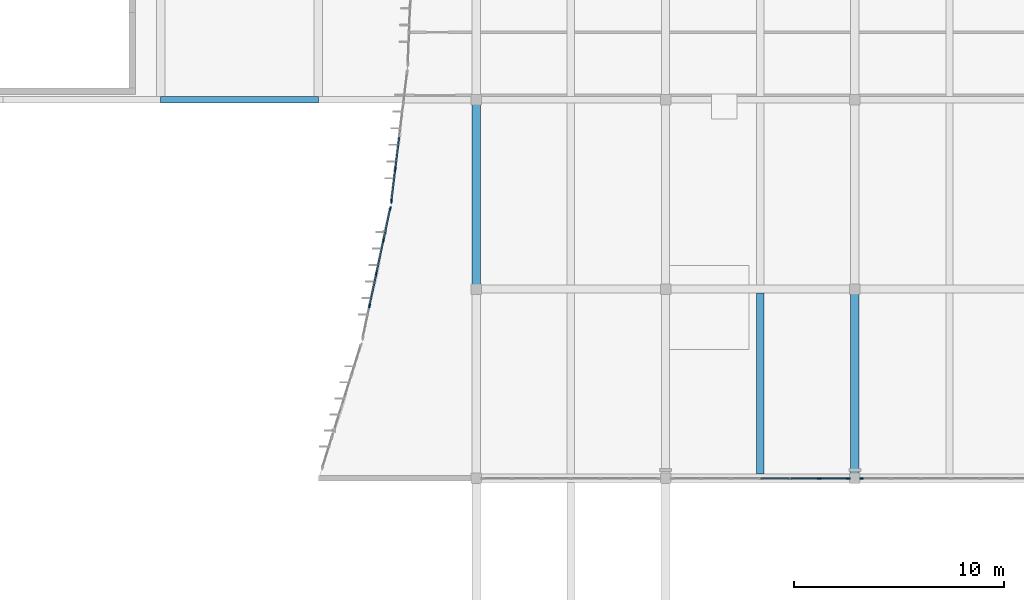
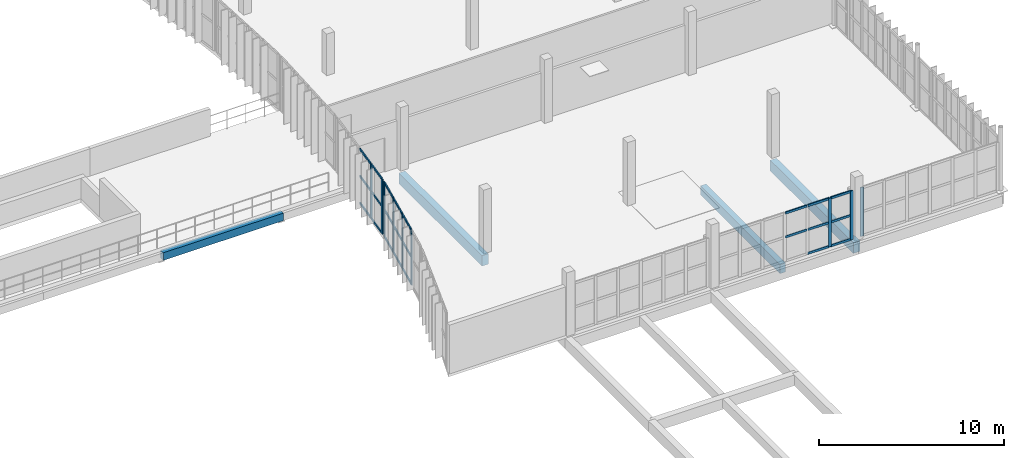
# One storey, part 22 of 61: 32 members, 4 beams, 4 elements without a shape of their own.
"""IFC4 building model written with IfcOpenShell, lengths in metres."""

from ifc_helpers import new_model, si_unit, direction, frame, origin, origin_2d, place, context, subcontext, project, spatial, rectangle, extrude, material, material_profile, profile_set, type_object, element, aggregate, save


model = new_model("IFC4")

# Units and contexts
model_context = context("Model", 3, precision=1e-05, world=origin(), true_north=direction((0.0, 1.0)))
body_context = subcontext(model_context, "Body", "Model", "MODEL_VIEW")
ifc_project = project(units=[si_unit("LENGTHUNIT", "METRE"), si_unit("AREAUNIT", "SQUARE_METRE"), si_unit("VOLUMEUNIT", "CUBIC_METRE"), si_unit("PLANEANGLEUNIT", "RADIAN"), si_unit("MASSUNIT", "GRAM", prefix="KILO")], contexts=[model_context])

# Site, building, storey
site_placement = place(None, origin())
site = spatial("IfcSite", under=ifc_project, at=site_placement, CompositionType="ELEMENT")
building_placement = place(site_placement, origin())
building = spatial("IfcBuilding", under=site, at=building_placement, Name="Vourika Railside Aquatics Centre", CompositionType="ELEMENT")
storey_placement = place(building_placement, frame((0.0, 0.0, 9.300048828125)))
storey = spatial("IfcBuildingStorey", under=building, at=storey_placement, Name="L02", CompositionType="ELEMENT", Elevation=9.300048828125)

# Beams
ifc_material_1 = material(Name="Concrete C35/45", Category="concrete")
ifc_material_profile_1 = material_profile(ifc_material_1, rectangle(XDim=0.39990234375, YDim=0.699951171875, at=origin_2d()), Name="RC 400x700")
ifc_profile_set_1 = profile_set([ifc_material_profile_1], Name="Concrete C35/45")
beam_type_1 = type_object("IfcBeamType", Name="BM-GIRD-400x700", PredefinedType="BEAM", material=ifc_profile_set_1)
for number, where, z_axis, x_axis, name in (
    (1, (141.0, 49.0, -0.630126953125), (0.0, 1.0, 0.0), (-1.0, 0.0, 0.0), "Floor Girder GY-L02-260"),
    (2, (159.0, 40.0, -0.630126953125), (0.0, 1.0, 0.0), (-1.0, 0.0, 0.0), "Floor Girder GY-L02-276"),
):
    element("IfcBeam", number, at=place(storey_placement, frame(where, z_axis=z_axis, x_axis=x_axis)), inside=storey, type_object=beam_type_1, Name=name, PredefinedType="BEAM", context=body_context, shape_type="SweptSolid", body=[
        extrude(rectangle(XDim=0.39990234375, YDim=0.699951171875, at=origin_2d()), origin(), (0.0, 0.0, 1.0), 9.0),
    ])
ifc_material_profile_2 = material_profile(ifc_material_1, rectangle(XDim=0.35009765625, YDim=0.60009765625, at=origin_2d()), Name="RC 350x600")
ifc_profile_set_2 = profile_set([ifc_material_profile_2], Name="Concrete C35/45")
beam_type_2 = type_object("IfcBeamType", Name="BM-SEC-350x600", PredefinedType="JOIST", material=ifc_profile_set_2)
beam_1_placement = place(storey_placement, frame((154.5, 40.199951171875, -0.580078125), z_axis=(0.0, 1.0, 0.0), x_axis=(-1.0, 0.0, 0.0)))
element("IfcBeam", 3, at=beam_1_placement, inside=storey, type_object=beam_type_2, Name="Secondary Joist JY-L02-307", PredefinedType="JOIST", context=body_context, shape_type="SweptSolid", body=[
    extrude(rectangle(XDim=0.35009765625, YDim=0.60009765625, at=origin_2d()), origin(), (0.0, 0.0, 1.0), 8.60009765625),
])
ifc_material_profile_3 = material_profile(ifc_material_1, rectangle(XDim=0.300048828125, YDim=0.5, at=origin_2d()), Name="RC 300x500")
ifc_profile_set_3 = profile_set([ifc_material_profile_3], Name="Concrete C35/45")
beam_type_3 = type_object("IfcBeamType", Name="BM-SPAN-300x500", PredefinedType="SPANDREL", material=ifc_profile_set_3)
beam_2_placement = place(storey_placement, frame((126.0, 58.0, -0.530029296875), z_axis=(1.0, 0.0, 0.0), x_axis=(0.0, 1.0, 0.0)))
element("IfcBeam", 4, at=beam_2_placement, inside=storey, type_object=beam_type_3, Name="Floor Beam GX-L02-064", PredefinedType="SPANDREL", context=body_context, shape_type="SweptSolid", body=[
    extrude(rectangle(XDim=0.300048828125, YDim=0.5, at=origin_2d()), origin(), (0.0, 0.0, 1.0), 7.5),
])

# Curtain wall, members
ifc_material_2 = material(Name="Anodized thermally broken aluminium", Category="aluminium")
curtain_wall_type_1 = type_object("IfcCurtainWallType", Name="CW-FOYC2", PredefinedType="NOTDEFINED", material=ifc_material_2)
curtain_wall_1_placement = place(storey_placement, origin())
curtain_wall_1 = element("IfcCurtainWall", 5, at=curtain_wall_1_placement, inside=storey, type_object=curtain_wall_type_1, Name="Curved Courtyard Foyer Curtain Wall L02-2", PredefinedType="NOTDEFINED")
ifc_material_3 = material(Name="Anodized aluminium mullion", Category="aluminium")
ifc_material_profile_4 = material_profile(ifc_material_3, rectangle(XDim=0.068115234375, YDim=0.175048828125, at=origin_2d()), Name="ALU-M 68x175")
ifc_profile_set_4 = profile_set([ifc_material_profile_4], Name="Anodized aluminium mullion")
member_type_1 = type_object("IfcMemberType", Name="CWM-FOYC2", PredefinedType="MULLION", material=ifc_profile_set_4)
member_1_placement = place(storey_placement, frame((136.9150390625, 52.82666015625, 0.0), z_axis=(0.0, 0.0, 1.0), x_axis=(0.978214773139, -0.207595418094, 0.0)))
member_1 = element("IfcMember", 6, at=member_1_placement, type_object=member_type_1, Name="CW09 mullion 1", PredefinedType="MULLION", context=body_context, shape_type="SweptSolid", body=[
    extrude(rectangle(XDim=0.068115234375, YDim=0.175048828125, at=origin_2d()), origin(), (0.0, 0.0, 1.0), 3.619873046875),
])
member_2_placement = place(storey_placement, frame((136.592041015625, 51.304931640625, 0.0), z_axis=(0.0, 0.0, 1.0), x_axis=(0.978214773139, -0.207595418094, 0.0)))
member_2 = element("IfcMember", 7, at=member_2_placement, type_object=member_type_1, Name="CW09 mullion 2", PredefinedType="MULLION", context=body_context, shape_type="SweptSolid", body=[
    extrude(rectangle(XDim=0.068115234375, YDim=0.175048828125, at=origin_2d()), origin(), (0.0, 0.0, 1.0), 3.619873046875),
])
member_3_placement = place(storey_placement, frame((136.261962890625, 49.75, 0.0), z_axis=(0.0, 0.0, 1.0), x_axis=(0.978214773139, -0.207595418094, 0.0)))
member_3 = element("IfcMember", 8, at=member_3_placement, type_object=member_type_1, Name="CW09 mullion 3", PredefinedType="MULLION", context=body_context, shape_type="SweptSolid", body=[
    extrude(rectangle(XDim=0.068115234375, YDim=0.175048828125, at=origin_2d()), origin(), (0.0, 0.0, 1.0), 3.619873046875),
])
member_4_placement = place(storey_placement, frame((135.931884765625, 48.195068359375, 0.0), z_axis=(0.0, 0.0, 1.0), x_axis=(0.978214773139, -0.207595418094, 0.0)))
member_4 = element("IfcMember", 9, at=member_4_placement, type_object=member_type_1, Name="CW09 mullion 4", PredefinedType="MULLION", context=body_context, shape_type="SweptSolid", body=[
    extrude(rectangle(XDim=0.068115234375, YDim=0.175048828125, at=origin_2d()), origin(), (0.0, 0.0, 1.0), 3.619873046875),
])

curtain_wall_2_placement = place(storey_placement, origin())
curtain_wall_2 = element("IfcCurtainWall", 10, at=curtain_wall_2_placement, inside=storey, type_object=curtain_wall_type_1, Name="Curved Courtyard Foyer Curtain Wall L02-3", PredefinedType="NOTDEFINED")
member_5_placement = place(storey_placement, frame((137.158203125, 54.695068359375, 0.0), z_axis=(0.0, 0.0, 1.0), x_axis=(0.992598563525, -0.121441721361, 0.0)))
member_5 = element("IfcMember", 11, at=member_5_placement, type_object=member_type_1, Name="CW09 mullion 4", PredefinedType="MULLION", context=body_context, shape_type="SweptSolid", body=[
    extrude(rectangle(XDim=0.068115234375, YDim=0.175048828125, at=origin_2d()), origin(), (0.0, 0.0, 1.0), 3.619873046875),
])
member_6_placement = place(storey_placement, frame((136.97216796875, 53.173828125, 0.0), z_axis=(0.0, 0.0, 1.0), x_axis=(0.992598563525, -0.121441721361, 0.0)))
member_6 = element("IfcMember", 12, at=member_6_placement, type_object=member_type_1, Name="CW09 mullion 5", PredefinedType="MULLION", context=body_context, shape_type="SweptSolid", body=[
    extrude(rectangle(XDim=0.068115234375, YDim=0.175048828125, at=origin_2d()), origin(), (0.0, 0.0, 1.0), 3.619873046875),
])

curtain_wall_type_2 = type_object("IfcCurtainWallType", Name="CW-FOYS", PredefinedType="NOTDEFINED", material=ifc_material_2)
curtain_wall_3_placement = place(storey_placement, origin())
curtain_wall_3 = element("IfcCurtainWall", 13, at=curtain_wall_3_placement, inside=storey, type_object=curtain_wall_type_2, Name="Foyer South Glazed Facade L02-2", PredefinedType="NOTDEFINED")
ifc_material_profile_5 = material_profile(ifc_material_3, rectangle(XDim=0.072021484375, YDim=0.181884765625, at=origin_2d()), Name="ALU-M 72x182")
ifc_profile_set_5 = profile_set([ifc_material_profile_5], Name="Anodized aluminium mullion")
member_type_2 = type_object("IfcMemberType", Name="CWM-FOYS", PredefinedType="MULLION", material=ifc_profile_set_5)
member_7_placement = place(storey_placement, frame((157.313232421875, 40.0, 0.0), z_axis=(0.0, 0.0, 1.0), x_axis=(0.0, 1.0, 0.0)))
member_7 = element("IfcMember", 14, at=member_7_placement, type_object=member_type_2, Name="CW11 mullion 6", PredefinedType="MULLION", context=body_context, shape_type="SweptSolid", body=[
    extrude(rectangle(XDim=0.072021484375, YDim=0.181884765625, at=origin_2d()), origin(), (0.0, 0.0, 1.0), 3.219970703125),
])
member_8_placement = place(storey_placement, frame((158.68408203125, 40.0, 0.0), z_axis=(0.0, 0.0, 1.0), x_axis=(0.0, 1.0, 0.0)))
member_8 = element("IfcMember", 15, at=member_8_placement, type_object=member_type_2, Name="CW11 mullion 7", PredefinedType="MULLION", context=body_context, shape_type="SweptSolid", body=[
    extrude(rectangle(XDim=0.072021484375, YDim=0.181884765625, at=origin_2d()), origin(), (0.0, 0.0, 1.0), 3.219970703125),
])

# Curtain wall, member
curtain_wall_4_placement = place(storey_placement, origin())
curtain_wall_4 = element("IfcCurtainWall", 16, at=curtain_wall_4_placement, inside=storey, type_object=curtain_wall_type_2, Name="Foyer South Glazed Facade L02-3", PredefinedType="NOTDEFINED")
member_9_placement = place(storey_placement, frame((159.31591796875, 40.0, 0.0), z_axis=(0.0, 0.0, 1.0), x_axis=(0.0, 1.0, 0.0)))
member_9 = element("IfcMember", 17, at=member_9_placement, type_object=member_type_2, Name="CW11 mullion 1", PredefinedType="MULLION", context=body_context, shape_type="SweptSolid", body=[
    extrude(rectangle(XDim=0.072021484375, YDim=0.181884765625, at=origin_2d()), origin(), (0.0, 0.0, 1.0), 3.219970703125),
])
aggregate(curtain_wall_4, [member_9])

# Member
ifc_material_4 = material(Name="Anodized aluminium transom", Category="aluminium")
ifc_material_profile_6 = material_profile(ifc_material_4, rectangle(XDim=0.068115234375, YDim=0.137939453125, at=origin_2d()), Name="ALU-T 68x138")
ifc_profile_set_6 = profile_set([ifc_material_profile_6], Name="Anodized aluminium transom")
member_type_3 = type_object("IfcMemberType", Name="CWT-FOYC2", PredefinedType="USERDEFINED", material=ifc_profile_set_6)
member_10_placement = place(storey_placement, frame((136.907958984375, 52.79345703125, 0.033935546875), z_axis=(-0.207623193138, -0.978208878344, 0.0), x_axis=(0.978208878344, -0.207623193138, 0.0)))
member_10 = element("IfcMember", 18, at=member_10_placement, type_object=member_type_3, Name="CW09 transom 1.1", ObjectType="TRANSOM", PredefinedType="USERDEFINED", context=body_context, shape_type="SweptSolid", body=[
    extrude(rectangle(XDim=0.068115234375, YDim=0.137939453125, at=origin_2d()), origin(), (0.0, 0.0, 1.0), 1.487548828125),
])

member_11_placement = place(storey_placement, frame((136.907958984375, 52.79345703125, 1.81005859375), z_axis=(-0.207623193138, -0.978208878344, 0.0), x_axis=(0.978208878344, -0.207623193138, 0.0)))
member_11 = element("IfcMember", 19, at=member_11_placement, type_object=member_type_3, Name="CW09 transom 1.2", ObjectType="TRANSOM", PredefinedType="USERDEFINED", context=body_context, shape_type="SweptSolid", body=[
    extrude(rectangle(XDim=0.068115234375, YDim=0.137939453125, at=origin_2d()), origin(), (0.0, 0.0, 1.0), 1.487548828125),
])

member_12_placement = place(storey_placement, frame((136.907958984375, 52.79345703125, 3.5859375), z_axis=(-0.207623193138, -0.978208878344, 0.0), x_axis=(0.978208878344, -0.207623193138, 0.0)))
member_12 = element("IfcMember", 20, at=member_12_placement, type_object=member_type_3, Name="CW09 transom 1.3", ObjectType="TRANSOM", PredefinedType="USERDEFINED", context=body_context, shape_type="SweptSolid", body=[
    extrude(rectangle(XDim=0.068115234375, YDim=0.137939453125, at=origin_2d()), origin(), (0.0, 0.0, 1.0), 1.487548828125),
])

member_13_placement = place(storey_placement, frame((136.5849609375, 51.271728515625, 0.033935546875), z_axis=(-0.207611215064, -0.978211420593, 0.0), x_axis=(0.978211420593, -0.207611215064, 0.0)))
member_13 = element("IfcMember", 21, at=member_13_placement, type_object=member_type_3, Name="CW09 transom 2.1", ObjectType="TRANSOM", PredefinedType="USERDEFINED", context=body_context, shape_type="SweptSolid", body=[
    extrude(rectangle(XDim=0.068115234375, YDim=0.137939453125, at=origin_2d()), origin(), (0.0, 0.0, 1.0), 1.521728515625),
])

member_14_placement = place(storey_placement, frame((136.5849609375, 51.271728515625, 1.81005859375), z_axis=(-0.207611215064, -0.978211420593, 0.0), x_axis=(0.978211420593, -0.207611215064, 0.0)))
member_14 = element("IfcMember", 22, at=member_14_placement, type_object=member_type_3, Name="CW09 transom 2.2", ObjectType="TRANSOM", PredefinedType="USERDEFINED", context=body_context, shape_type="SweptSolid", body=[
    extrude(rectangle(XDim=0.068115234375, YDim=0.137939453125, at=origin_2d()), origin(), (0.0, 0.0, 1.0), 1.521728515625),
])

member_15_placement = place(storey_placement, frame((136.5849609375, 51.271728515625, 3.5859375), z_axis=(-0.207611215064, -0.978211420593, 0.0), x_axis=(0.978211420593, -0.207611215064, 0.0)))
member_15 = element("IfcMember", 23, at=member_15_placement, type_object=member_type_3, Name="CW09 transom 2.3", ObjectType="TRANSOM", PredefinedType="USERDEFINED", context=body_context, shape_type="SweptSolid", body=[
    extrude(rectangle(XDim=0.068115234375, YDim=0.137939453125, at=origin_2d()), origin(), (0.0, 0.0, 1.0), 1.521728515625),
])

member_16_placement = place(storey_placement, frame((136.2548828125, 49.716796875, 0.033935546875), z_axis=(-0.207611215064, -0.978211420593, 0.0), x_axis=(0.978211420593, -0.207611215064, 0.0)))
member_16 = element("IfcMember", 24, at=member_16_placement, type_object=member_type_3, Name="CW09 transom 3.1", ObjectType="TRANSOM", PredefinedType="USERDEFINED", context=body_context, shape_type="SweptSolid", body=[
    extrude(rectangle(XDim=0.068115234375, YDim=0.137939453125, at=origin_2d()), origin(), (0.0, 0.0, 1.0), 1.521728515625),
])

member_17_placement = place(storey_placement, frame((136.2548828125, 49.716796875, 1.81005859375), z_axis=(-0.207611215064, -0.978211420593, 0.0), x_axis=(0.978211420593, -0.207611215064, 0.0)))
member_17 = element("IfcMember", 25, at=member_17_placement, type_object=member_type_3, Name="CW09 transom 3.2", ObjectType="TRANSOM", PredefinedType="USERDEFINED", context=body_context, shape_type="SweptSolid", body=[
    extrude(rectangle(XDim=0.068115234375, YDim=0.137939453125, at=origin_2d()), origin(), (0.0, 0.0, 1.0), 1.521728515625),
])

member_18_placement = place(storey_placement, frame((136.2548828125, 49.716796875, 3.5859375), z_axis=(-0.207611215064, -0.978211420593, 0.0), x_axis=(0.978211420593, -0.207611215064, 0.0)))
member_18 = element("IfcMember", 26, at=member_18_placement, type_object=member_type_3, Name="CW09 transom 3.3", ObjectType="TRANSOM", PredefinedType="USERDEFINED", context=body_context, shape_type="SweptSolid", body=[
    extrude(rectangle(XDim=0.068115234375, YDim=0.137939453125, at=origin_2d()), origin(), (0.0, 0.0, 1.0), 1.521728515625),
])

aggregate(curtain_wall_1, [member_1, member_2, member_3, member_4, member_10, member_11, member_12, member_13, member_14, member_15, member_16, member_17, member_18])

member_19_placement = place(storey_placement, frame((137.344482421875, 56.21630859375, 0.033935546875), z_axis=(-0.121528088418, -0.992587992938, 0.0), x_axis=(0.992587992938, -0.121528088418, 0.0)))
member_19 = element("IfcMember", 27, at=member_19_placement, type_object=member_type_3, Name="CW09 transom 3.1", ObjectType="TRANSOM", PredefinedType="USERDEFINED", context=body_context, shape_type="SweptSolid", body=[
    extrude(rectangle(XDim=0.068115234375, YDim=0.137939453125, at=origin_2d()), origin(), (0.0, 0.0, 1.0), 1.49853515625),
])

member_20_placement = place(storey_placement, frame((137.344482421875, 56.21630859375, 1.81005859375), z_axis=(-0.121528088418, -0.992587992938, 0.0), x_axis=(0.992587992938, -0.121528088418, 0.0)))
member_20 = element("IfcMember", 28, at=member_20_placement, type_object=member_type_3, Name="CW09 transom 3.2", ObjectType="TRANSOM", PredefinedType="USERDEFINED", context=body_context, shape_type="SweptSolid", body=[
    extrude(rectangle(XDim=0.068115234375, YDim=0.137939453125, at=origin_2d()), origin(), (0.0, 0.0, 1.0), 1.49853515625),
])

member_21_placement = place(storey_placement, frame((137.344482421875, 56.21630859375, 3.5859375), z_axis=(-0.121528088418, -0.992587992938, 0.0), x_axis=(0.992587992938, -0.121528088418, 0.0)))
member_21 = element("IfcMember", 29, at=member_21_placement, type_object=member_type_3, Name="CW09 transom 3.3", ObjectType="TRANSOM", PredefinedType="USERDEFINED", context=body_context, shape_type="SweptSolid", body=[
    extrude(rectangle(XDim=0.068115234375, YDim=0.137939453125, at=origin_2d()), origin(), (0.0, 0.0, 1.0), 1.49853515625),
])

member_22_placement = place(storey_placement, frame((137.154052734375, 54.6611328125, 0.033935546875), z_axis=(-0.121366882428, -0.992607717001, 0.0), x_axis=(0.992607717001, -0.121366882428, 0.0)))
member_22 = element("IfcMember", 30, at=member_22_placement, type_object=member_type_3, Name="CW09 transom 4.1", ObjectType="TRANSOM", PredefinedType="USERDEFINED", context=body_context, shape_type="SweptSolid", body=[
    extrude(rectangle(XDim=0.068115234375, YDim=0.137939453125, at=origin_2d()), origin(), (0.0, 0.0, 1.0), 1.46435546875),
])

member_23_placement = place(storey_placement, frame((137.154052734375, 54.6611328125, 1.81005859375), z_axis=(-0.121366882428, -0.992607717001, 0.0), x_axis=(0.992607717001, -0.121366882428, 0.0)))
member_23 = element("IfcMember", 31, at=member_23_placement, type_object=member_type_3, Name="CW09 transom 4.2", ObjectType="TRANSOM", PredefinedType="USERDEFINED", context=body_context, shape_type="SweptSolid", body=[
    extrude(rectangle(XDim=0.068115234375, YDim=0.137939453125, at=origin_2d()), origin(), (0.0, 0.0, 1.0), 1.46435546875),
])

member_24_placement = place(storey_placement, frame((137.154052734375, 54.6611328125, 3.5859375), z_axis=(-0.121366882428, -0.992607717001, 0.0), x_axis=(0.992607717001, -0.121366882428, 0.0)))
member_24 = element("IfcMember", 32, at=member_24_placement, type_object=member_type_3, Name="CW09 transom 4.3", ObjectType="TRANSOM", PredefinedType="USERDEFINED", context=body_context, shape_type="SweptSolid", body=[
    extrude(rectangle(XDim=0.068115234375, YDim=0.137939453125, at=origin_2d()), origin(), (0.0, 0.0, 1.0), 1.46435546875),
])

aggregate(curtain_wall_2, [member_5, member_6, member_19, member_20, member_21, member_22, member_23, member_24])

ifc_material_profile_7 = material_profile(ifc_material_4, rectangle(XDim=0.072021484375, YDim=0.14404296875, at=origin_2d()), Name="ALU-T 72x144")
ifc_profile_set_7 = profile_set([ifc_material_profile_7], Name="Anodized aluminium transom")
member_type_4 = type_object("IfcMemberType", Name="CWT-FOYS", PredefinedType="USERDEFINED", material=ifc_profile_set_7)
member_25_placement = place(storey_placement, frame((154.535888671875, 40.0, 1.60986328125), z_axis=(1.0, 0.0, 0.0), x_axis=(0.0, 1.0, 0.0)))
member_25 = element("IfcMember", 33, at=member_25_placement, type_object=member_type_4, Name="CW11 transom 4.2", ObjectType="TRANSOM", PredefinedType="USERDEFINED", context=body_context, shape_type="SweptSolid", body=[
    extrude(rectangle(XDim=0.072021484375, YDim=0.14404296875, at=origin_2d()), origin(), (0.0, 0.0, 1.0), 1.334716796875),
])

member_26_placement = place(storey_placement, frame((154.535888671875, 40.0, 3.183837890625), z_axis=(1.0, 0.0, 0.0), x_axis=(0.0, 1.0, 0.0)))
member_26 = element("IfcMember", 34, at=member_26_placement, type_object=member_type_4, Name="CW11 transom 4.3", ObjectType="TRANSOM", PredefinedType="USERDEFINED", context=body_context, shape_type="SweptSolid", body=[
    extrude(rectangle(XDim=0.072021484375, YDim=0.14404296875, at=origin_2d()), origin(), (0.0, 0.0, 1.0), 1.334716796875),
])

member_27_placement = place(storey_placement, frame((155.942626953125, 40.0, 0.035888671875), z_axis=(1.0, 0.0, 0.0), x_axis=(0.0, 1.0, 0.0)))
member_27 = element("IfcMember", 35, at=member_27_placement, type_object=member_type_4, Name="CW11 transom 5.1", ObjectType="TRANSOM", PredefinedType="USERDEFINED", context=body_context, shape_type="SweptSolid", body=[
    extrude(rectangle(XDim=0.072021484375, YDim=0.14404296875, at=origin_2d()), origin(), (0.0, 0.0, 1.0), 1.334716796875),
])

member_28_placement = place(storey_placement, frame((155.942626953125, 40.0, 1.60986328125), z_axis=(1.0, 0.0, 0.0), x_axis=(0.0, 1.0, 0.0)))
member_28 = element("IfcMember", 36, at=member_28_placement, type_object=member_type_4, Name="CW11 transom 5.2", ObjectType="TRANSOM", PredefinedType="USERDEFINED", context=body_context, shape_type="SweptSolid", body=[
    extrude(rectangle(XDim=0.072021484375, YDim=0.14404296875, at=origin_2d()), origin(), (0.0, 0.0, 1.0), 1.334716796875),
])

member_29_placement = place(storey_placement, frame((155.942626953125, 40.0, 3.183837890625), z_axis=(1.0, 0.0, 0.0), x_axis=(0.0, 1.0, 0.0)))
member_29 = element("IfcMember", 37, at=member_29_placement, type_object=member_type_4, Name="CW11 transom 5.3", ObjectType="TRANSOM", PredefinedType="USERDEFINED", context=body_context, shape_type="SweptSolid", body=[
    extrude(rectangle(XDim=0.072021484375, YDim=0.14404296875, at=origin_2d()), origin(), (0.0, 0.0, 1.0), 1.334716796875),
])

member_30_placement = place(storey_placement, frame((157.349365234375, 40.0, 0.035888671875), z_axis=(1.0, 0.0, 0.0), x_axis=(0.0, 1.0, 0.0)))
member_30 = element("IfcMember", 38, at=member_30_placement, type_object=member_type_4, Name="CW11 transom 6.1", ObjectType="TRANSOM", PredefinedType="USERDEFINED", context=body_context, shape_type="SweptSolid", body=[
    extrude(rectangle(XDim=0.072021484375, YDim=0.14404296875, at=origin_2d()), origin(), (0.0, 0.0, 1.0), 1.298583984375),
])

member_31_placement = place(storey_placement, frame((157.349365234375, 40.0, 1.60986328125), z_axis=(1.0, 0.0, 0.0), x_axis=(0.0, 1.0, 0.0)))
member_31 = element("IfcMember", 39, at=member_31_placement, type_object=member_type_4, Name="CW11 transom 6.2", ObjectType="TRANSOM", PredefinedType="USERDEFINED", context=body_context, shape_type="SweptSolid", body=[
    extrude(rectangle(XDim=0.072021484375, YDim=0.14404296875, at=origin_2d()), origin(), (0.0, 0.0, 1.0), 1.298583984375),
])

member_32_placement = place(storey_placement, frame((157.349365234375, 40.0, 3.183837890625), z_axis=(1.0, 0.0, 0.0), x_axis=(0.0, 1.0, 0.0)))
member_32 = element("IfcMember", 40, at=member_32_placement, type_object=member_type_4, Name="CW11 transom 6.3", ObjectType="TRANSOM", PredefinedType="USERDEFINED", context=body_context, shape_type="SweptSolid", body=[
    extrude(rectangle(XDim=0.072021484375, YDim=0.14404296875, at=origin_2d()), origin(), (0.0, 0.0, 1.0), 1.298583984375),
])

aggregate(curtain_wall_3, [member_7, member_8, member_25, member_26, member_27, member_28, member_29, member_30, member_31, member_32])

save(model, "model.ifc")
